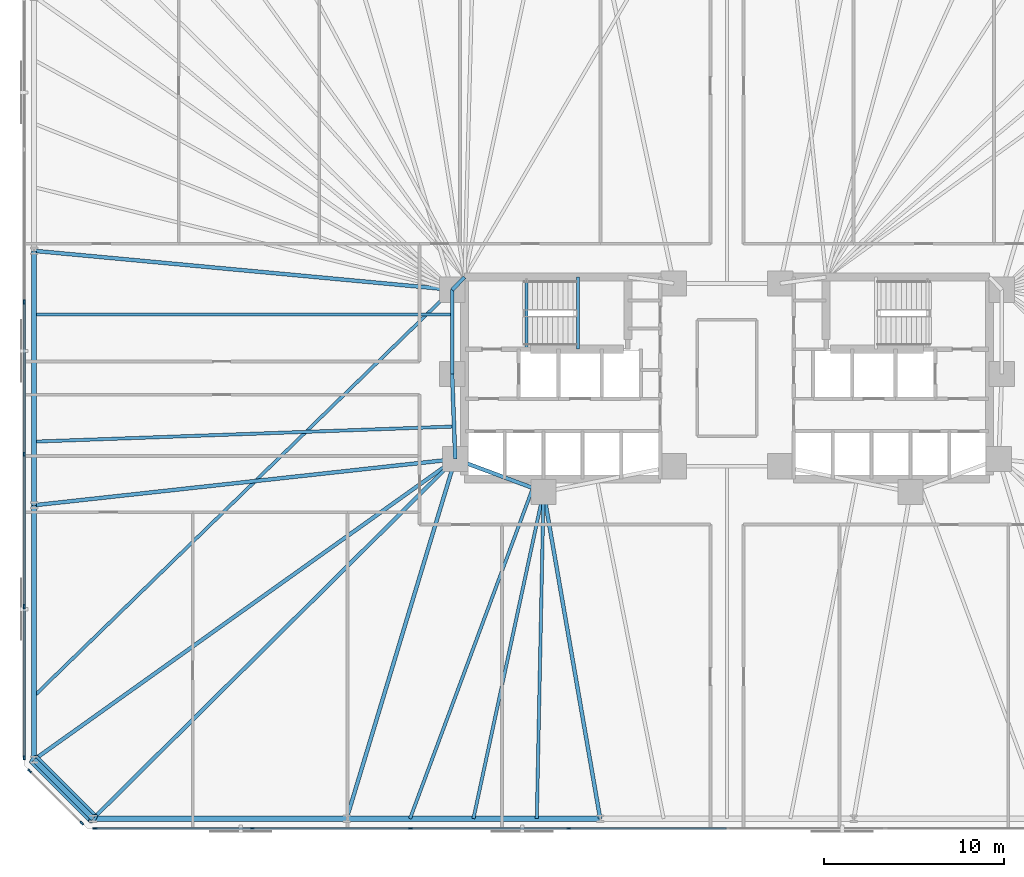
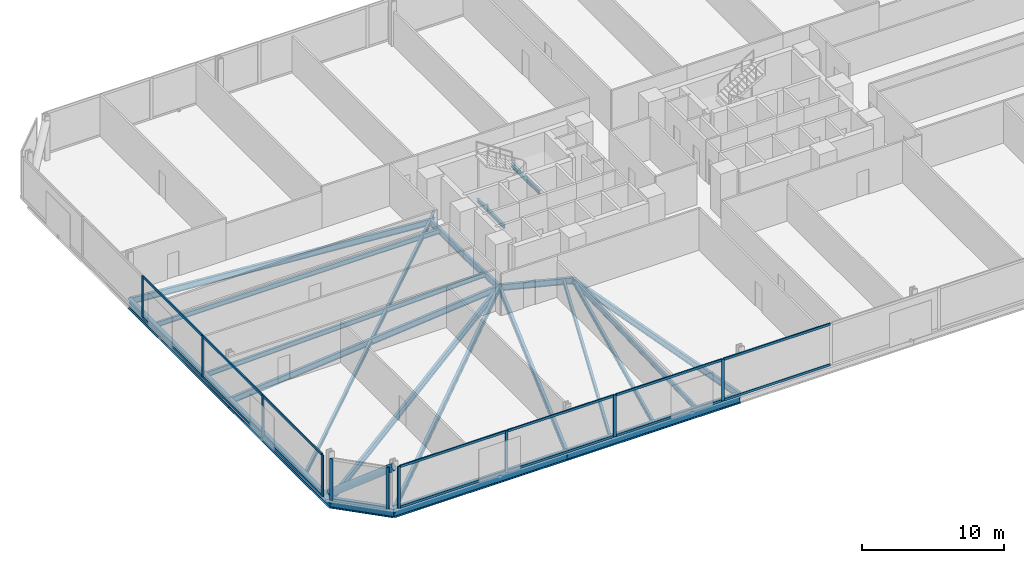
# One storey, part 6 of 17: 25 members, 23 beams, 3 elements without a shape of their own.
"""IFC4 building model written with IfcOpenShell, lengths in metres."""

from ifc_helpers import new_model, si_unit, direction, frame, origin, origin_2d, place, context, subcontext, project, spatial, rectangle, hollow_circle, i_section, extrude, material, material_profile, profile_set, type_object, element, aggregate, save


model = new_model("IFC4")

# Units and contexts
model_context = context("Model", 3, precision=1e-05, world=origin(), true_north=direction((0.0, 1.0)))
body_context = subcontext(model_context, "Body", "Model", "MODEL_VIEW")
ifc_project = project(units=[si_unit("LENGTHUNIT", "METRE"), si_unit("AREAUNIT", "SQUARE_METRE"), si_unit("VOLUMEUNIT", "CUBIC_METRE"), si_unit("PLANEANGLEUNIT", "RADIAN"), si_unit("MASSUNIT", "GRAM", prefix="KILO")], contexts=[model_context])

# Site, building, storey
site_placement = place(None, origin())
site = spatial("IfcSite", under=ifc_project, at=site_placement, CompositionType="ELEMENT")
building_placement = place(site_placement, origin())
building = spatial("IfcBuilding", under=site, at=building_placement, Name="Menara Jurai Vektor", CompositionType="ELEMENT")
storey_placement = place(building_placement, frame((0.0, 0.0, 37.0)))
storey = spatial("IfcBuildingStorey", under=building, at=storey_placement, Name="L08", CompositionType="ELEMENT", Elevation=37.0)

# Curtain wall, members
ifc_material_1 = material(Name="Anodised Pale Aluminium & Low-E Double Glazing", Category="aluminium")
curtain_wall_type = type_object("IfcCurtainWallType", Name="CW-BLK1", PredefinedType="NOTDEFINED", material=ifc_material_1)
curtain_wall_1_placement = place(storey_placement, origin())
curtain_wall_1 = element("IfcCurtainWall", 1, at=curtain_wall_1_placement, inside=storey, type_object=curtain_wall_type, Name="Unitised Curtain Wall L08 F01", PredefinedType="NOTDEFINED")
ifc_material_2 = material(Name="Anodised Pale Aluminium Mullion", Category="aluminium")
ifc_material_profile_1 = material_profile(ifc_material_2, rectangle(XDim=0.094970703125, YDim=0.239990234375, at=origin_2d()), Name="ALU MUL 95x240")
ifc_profile_set_1 = profile_set([ifc_material_profile_1], Name="Anodised Pale Aluminium Mullion")
member_type_1 = type_object("IfcMemberType", Name="CW-BLK1-MUL", PredefinedType="MULLION", material=ifc_profile_set_1)
member_1_placement = place(storey_placement, frame((-35.072509765625, -25.0, 0.0), z_axis=(0.0, 0.0, 1.0), x_axis=(0.0, 1.0, 0.0)))
member_1 = element("IfcMember", 2, at=member_1_placement, type_object=member_type_1, Name="CW-01 mullion 1", PredefinedType="MULLION", context=body_context, shape_type="SweptSolid", body=[
    extrude(rectangle(XDim=0.094970703125, YDim=0.239990234375, at=origin_2d()), origin(), (0.0, 0.0, 1.0), 3.574951171875),
])
member_2_placement = place(storey_placement, frame((-26.340087890625, -25.0, 0.0), z_axis=(0.0, 0.0, 1.0), x_axis=(0.0, 1.0, 0.0)))
member_2 = element("IfcMember", 3, at=member_2_placement, type_object=member_type_1, Name="CW-01 mullion 2", PredefinedType="MULLION", context=body_context, shape_type="SweptSolid", body=[
    extrude(rectangle(XDim=0.094970703125, YDim=0.239990234375, at=origin_2d()), origin(), (0.0, 0.0, 1.0), 3.574951171875),
])
member_3_placement = place(storey_placement, frame((-17.56005859375, -25.0, 0.0), z_axis=(0.0, 0.0, 1.0), x_axis=(0.0, 1.0, 0.0)))
member_3 = element("IfcMember", 4, at=member_3_placement, type_object=member_type_1, Name="CW-01 mullion 3", PredefinedType="MULLION", context=body_context, shape_type="SweptSolid", body=[
    extrude(rectangle(XDim=0.094970703125, YDim=0.239990234375, at=origin_2d()), origin(), (0.0, 0.0, 1.0), 3.574951171875),
])
member_4_placement = place(storey_placement, frame((-8.780029296875, -25.0, 0.0), z_axis=(0.0, 0.0, 1.0), x_axis=(0.0, 1.0, 0.0)))
member_4 = element("IfcMember", 5, at=member_4_placement, type_object=member_type_1, Name="CW-01 mullion 4", PredefinedType="MULLION", context=body_context, shape_type="SweptSolid", body=[
    extrude(rectangle(XDim=0.094970703125, YDim=0.239990234375, at=origin_2d()), origin(), (0.0, 0.0, 1.0), 3.574951171875),
])

curtain_wall_2_placement = place(storey_placement, origin())
curtain_wall_2 = element("IfcCurtainWall", 6, at=curtain_wall_2_placement, inside=storey, type_object=curtain_wall_type, Name="Unitised Curtain Wall L08 F07", PredefinedType="NOTDEFINED")
member_5_placement = place(storey_placement, frame((-39.0, 4.22412109375, 0.0), z_axis=(0.0, 0.0, 1.0), x_axis=(1.0, 0.0, 0.0)))
member_5 = element("IfcMember", 7, at=member_5_placement, type_object=member_type_1, Name="CW-01 mullion 3", PredefinedType="MULLION", context=body_context, shape_type="SweptSolid", body=[
    extrude(rectangle(XDim=0.094970703125, YDim=0.239990234375, at=origin_2d()), origin(), (0.0, 0.0, 1.0), 3.574951171875),
])
member_6_placement = place(storey_placement, frame((-39.0, -4.22412109375, 0.0), z_axis=(0.0, 0.0, 1.0), x_axis=(1.0, 0.0, 0.0)))
member_6 = element("IfcMember", 8, at=member_6_placement, type_object=member_type_1, Name="CW-01 mullion 4", PredefinedType="MULLION", context=body_context, shape_type="SweptSolid", body=[
    extrude(rectangle(XDim=0.094970703125, YDim=0.239990234375, at=origin_2d()), origin(), (0.0, 0.0, 1.0), 3.574951171875),
])
member_7_placement = place(storey_placement, frame((-39.0, -12.672119140625, 0.0), z_axis=(0.0, 0.0, 1.0), x_axis=(1.0, 0.0, 0.0)))
member_7 = element("IfcMember", 9, at=member_7_placement, type_object=member_type_1, Name="CW-01 mullion 5", PredefinedType="MULLION", context=body_context, shape_type="SweptSolid", body=[
    extrude(rectangle(XDim=0.094970703125, YDim=0.239990234375, at=origin_2d()), origin(), (0.0, 0.0, 1.0), 3.574951171875),
])
member_8_placement = place(storey_placement, frame((-39.0, -21.072509765625, 0.0), z_axis=(0.0, 0.0, 1.0), x_axis=(1.0, 0.0, 0.0)))
member_8 = element("IfcMember", 10, at=member_8_placement, type_object=member_type_1, Name="CW-01 mullion 6", PredefinedType="MULLION", context=body_context, shape_type="SweptSolid", body=[
    extrude(rectangle(XDim=0.094970703125, YDim=0.239990234375, at=origin_2d()), origin(), (0.0, 0.0, 1.0), 3.574951171875),
])

curtain_wall_3_placement = place(storey_placement, origin())
curtain_wall_3 = element("IfcCurtainWall", 11, at=curtain_wall_3_placement, inside=storey, type_object=curtain_wall_type, Name="Unitised Curtain Wall L08 F08", PredefinedType="NOTDEFINED")
member_9_placement = place(storey_placement, frame((-38.69775390625, -21.80224609375, 0.0), z_axis=(0.0, 0.0, 1.0), x_axis=(0.707106781187, 0.707106781187, 0.0)))
member_9 = element("IfcMember", 12, at=member_9_placement, type_object=member_type_1, Name="CW-01 mullion 1", PredefinedType="MULLION", context=body_context, shape_type="SweptSolid", body=[
    extrude(rectangle(XDim=0.094970703125, YDim=0.239990234375, at=origin_2d()), origin(), (0.0, 0.0, 1.0), 3.574951171875),
])
member_10_placement = place(storey_placement, frame((-35.80224609375, -24.69775390625, 0.0), z_axis=(0.0, 0.0, 1.0), x_axis=(0.707106781187, 0.707106781187, 0.0)))
member_10 = element("IfcMember", 13, at=member_10_placement, type_object=member_type_1, Name="CW-01 mullion 2", PredefinedType="MULLION", context=body_context, shape_type="SweptSolid", body=[
    extrude(rectangle(XDim=0.094970703125, YDim=0.239990234375, at=origin_2d()), origin(), (0.0, 0.0, 1.0), 3.574951171875),
])
aggregate(curtain_wall_3, [member_9, member_10])

# Member
ifc_material_3 = material(Name="Anodised Pale Aluminium Transom", Category="aluminium")
ifc_material_profile_2 = material_profile(ifc_material_3, rectangle(XDim=0.094970703125, YDim=0.199951171875, at=origin_2d()), Name="ALU TRN 95x200")
ifc_profile_set_2 = profile_set([ifc_material_profile_2], Name="Anodised Pale Aluminium Transom")
member_type_2 = type_object("IfcMemberType", Name="CW-BLK1-TRN", PredefinedType="USERDEFINED", material=ifc_profile_set_2)
member_11_placement = place(storey_placement, frame((-35.02490234375, -25.0, 0.047607421875), z_axis=(1.0, 0.0, 0.0), x_axis=(0.0, 1.0, 0.0)))
member_11 = element("IfcMember", 14, at=member_11_placement, type_object=member_type_2, Name="CW-01 transom 1.1", ObjectType="TRANSOM", PredefinedType="USERDEFINED", context=body_context, shape_type="SweptSolid", body=[
    extrude(rectangle(XDim=0.094970703125, YDim=0.199951171875, at=origin_2d()), origin(), (0.0, 0.0, 1.0), 8.637451171875),
])

member_12_placement = place(storey_placement, frame((-35.02490234375, -25.0, 3.527587890625), z_axis=(1.0, 0.0, 0.0), x_axis=(0.0, 1.0, 0.0)))
member_12 = element("IfcMember", 15, at=member_12_placement, type_object=member_type_2, Name="CW-01 transom 1.2", ObjectType="TRANSOM", PredefinedType="USERDEFINED", context=body_context, shape_type="SweptSolid", body=[
    extrude(rectangle(XDim=0.094970703125, YDim=0.199951171875, at=origin_2d()), origin(), (0.0, 0.0, 1.0), 8.637451171875),
])

member_13_placement = place(storey_placement, frame((-26.29248046875, -25.0, 0.047607421875), z_axis=(1.0, 0.0, 0.0), x_axis=(0.0, 1.0, 0.0)))
member_13 = element("IfcMember", 16, at=member_13_placement, type_object=member_type_2, Name="CW-01 transom 2.1", ObjectType="TRANSOM", PredefinedType="USERDEFINED", context=body_context, shape_type="SweptSolid", body=[
    extrude(rectangle(XDim=0.094970703125, YDim=0.199951171875, at=origin_2d()), origin(), (0.0, 0.0, 1.0), 8.68505859375),
])

member_14_placement = place(storey_placement, frame((-26.29248046875, -25.0, 3.527587890625), z_axis=(1.0, 0.0, 0.0), x_axis=(0.0, 1.0, 0.0)))
member_14 = element("IfcMember", 17, at=member_14_placement, type_object=member_type_2, Name="CW-01 transom 2.2", ObjectType="TRANSOM", PredefinedType="USERDEFINED", context=body_context, shape_type="SweptSolid", body=[
    extrude(rectangle(XDim=0.094970703125, YDim=0.199951171875, at=origin_2d()), origin(), (0.0, 0.0, 1.0), 8.68505859375),
])

member_15_placement = place(storey_placement, frame((-17.512451171875, -25.0, 0.047607421875), z_axis=(1.0, 0.0, 0.0), x_axis=(0.0, 1.0, 0.0)))
member_15 = element("IfcMember", 18, at=member_15_placement, type_object=member_type_2, Name="CW-01 transom 3.1", ObjectType="TRANSOM", PredefinedType="USERDEFINED", context=body_context, shape_type="SweptSolid", body=[
    extrude(rectangle(XDim=0.094970703125, YDim=0.199951171875, at=origin_2d()), origin(), (0.0, 0.0, 1.0), 8.68505859375),
])

member_16_placement = place(storey_placement, frame((-17.512451171875, -25.0, 3.527587890625), z_axis=(1.0, 0.0, 0.0), x_axis=(0.0, 1.0, 0.0)))
member_16 = element("IfcMember", 19, at=member_16_placement, type_object=member_type_2, Name="CW-01 transom 3.2", ObjectType="TRANSOM", PredefinedType="USERDEFINED", context=body_context, shape_type="SweptSolid", body=[
    extrude(rectangle(XDim=0.094970703125, YDim=0.199951171875, at=origin_2d()), origin(), (0.0, 0.0, 1.0), 8.68505859375),
])

member_17_placement = place(storey_placement, frame((-8.732421875, -25.0, 0.047607421875), z_axis=(1.0, 0.0, 0.0), x_axis=(0.0, 1.0, 0.0)))
member_17 = element("IfcMember", 20, at=member_17_placement, type_object=member_type_2, Name="CW-01 transom 4.1", ObjectType="TRANSOM", PredefinedType="USERDEFINED", context=body_context, shape_type="SweptSolid", body=[
    extrude(rectangle(XDim=0.094970703125, YDim=0.199951171875, at=origin_2d()), origin(), (0.0, 0.0, 1.0), 8.684814453125),
])

member_18_placement = place(storey_placement, frame((-8.732421875, -25.0, 3.527587890625), z_axis=(1.0, 0.0, 0.0), x_axis=(0.0, 1.0, 0.0)))
member_18 = element("IfcMember", 21, at=member_18_placement, type_object=member_type_2, Name="CW-01 transom 4.2", ObjectType="TRANSOM", PredefinedType="USERDEFINED", context=body_context, shape_type="SweptSolid", body=[
    extrude(rectangle(XDim=0.094970703125, YDim=0.199951171875, at=origin_2d()), origin(), (0.0, 0.0, 1.0), 8.684814453125),
])

aggregate(curtain_wall_1, [member_1, member_2, member_3, member_4, member_11, member_12, member_13, member_14, member_15, member_16, member_17, member_18])

member_19_placement = place(storey_placement, frame((-39.0, 4.176513671875, 0.047607421875), z_axis=(0.0, -1.0, 0.0), x_axis=(1.0, 0.0, 0.0)))
member_19 = element("IfcMember", 22, at=member_19_placement, type_object=member_type_2, Name="CW-01 transom 3.1", ObjectType="TRANSOM", PredefinedType="USERDEFINED", context=body_context, shape_type="SweptSolid", body=[
    extrude(rectangle(XDim=0.094970703125, YDim=0.199951171875, at=origin_2d()), origin(), (0.0, 0.0, 1.0), 8.35302734375),
])

member_20_placement = place(storey_placement, frame((-39.0, 4.176513671875, 3.527587890625), z_axis=(0.0, -1.0, 0.0), x_axis=(1.0, 0.0, 0.0)))
member_20 = element("IfcMember", 23, at=member_20_placement, type_object=member_type_2, Name="CW-01 transom 3.2", ObjectType="TRANSOM", PredefinedType="USERDEFINED", context=body_context, shape_type="SweptSolid", body=[
    extrude(rectangle(XDim=0.094970703125, YDim=0.199951171875, at=origin_2d()), origin(), (0.0, 0.0, 1.0), 8.35302734375),
])

member_21_placement = place(storey_placement, frame((-39.0, -4.271484375, 0.047607421875), z_axis=(0.0, -1.0, 0.0), x_axis=(1.0, 0.0, 0.0)))
member_21 = element("IfcMember", 24, at=member_21_placement, type_object=member_type_2, Name="CW-01 transom 4.1", ObjectType="TRANSOM", PredefinedType="USERDEFINED", context=body_context, shape_type="SweptSolid", body=[
    extrude(rectangle(XDim=0.094970703125, YDim=0.199951171875, at=origin_2d()), origin(), (0.0, 0.0, 1.0), 8.35302734375),
])

member_22_placement = place(storey_placement, frame((-39.0, -4.271484375, 3.527587890625), z_axis=(0.0, -1.0, 0.0), x_axis=(1.0, 0.0, 0.0)))
member_22 = element("IfcMember", 25, at=member_22_placement, type_object=member_type_2, Name="CW-01 transom 4.2", ObjectType="TRANSOM", PredefinedType="USERDEFINED", context=body_context, shape_type="SweptSolid", body=[
    extrude(rectangle(XDim=0.094970703125, YDim=0.199951171875, at=origin_2d()), origin(), (0.0, 0.0, 1.0), 8.35302734375),
])

member_23_placement = place(storey_placement, frame((-39.0, -12.719482421875, 0.047607421875), z_axis=(0.0, -1.0, 0.0), x_axis=(1.0, 0.0, 0.0)))
member_23 = element("IfcMember", 26, at=member_23_placement, type_object=member_type_2, Name="CW-01 transom 5.1", ObjectType="TRANSOM", PredefinedType="USERDEFINED", context=body_context, shape_type="SweptSolid", body=[
    extrude(rectangle(XDim=0.094970703125, YDim=0.199951171875, at=origin_2d()), origin(), (0.0, 0.0, 1.0), 8.305419921875),
])

member_24_placement = place(storey_placement, frame((-39.0, -12.719482421875, 3.527587890625), z_axis=(0.0, -1.0, 0.0), x_axis=(1.0, 0.0, 0.0)))
member_24 = element("IfcMember", 27, at=member_24_placement, type_object=member_type_2, Name="CW-01 transom 5.2", ObjectType="TRANSOM", PredefinedType="USERDEFINED", context=body_context, shape_type="SweptSolid", body=[
    extrude(rectangle(XDim=0.094970703125, YDim=0.199951171875, at=origin_2d()), origin(), (0.0, 0.0, 1.0), 8.305419921875),
])

aggregate(curtain_wall_2, [member_5, member_6, member_7, member_8, member_19, member_20, member_21, member_22, member_23, member_24])

# Beams
ifc_material_4 = material(Name="Steel S355", Category="steel")
ifc_material_profile_3 = material_profile(ifc_material_4, i_section(OverallWidth=0.2109375, OverallDepth=0.5390625, WebThickness=0.011962890625, FlangeThickness=0.01904296875, FilletRadius=0.012939453125, at=origin_2d()), Name="UKB 533x210x109")
ifc_profile_set_3 = profile_set([ifc_material_profile_3], Name="Steel S355")
beam_type_1 = type_object("IfcBeamType", Name="STR-BM-533", PredefinedType="BEAM", material=ifc_profile_set_3)
beam_1_placement = place(storey_placement, frame((-15.25, 4.89990234375, -0.494384765625), z_axis=(0.701871936926, 0.712303154672, 0.0), x_axis=(-0.712303154672, 0.701871936926, 0.0)))
element("IfcBeam", 28, at=beam_1_placement, inside=storey, type_object=beam_type_1, Name="Core Ring Header Girder L08-CHW-N1", PredefinedType="BEAM", context=body_context, shape_type="SweptSolid", body=[
    extrude(i_section(OverallWidth=0.2109375, OverallDepth=0.5390625, WebThickness=0.011962890625, FlangeThickness=0.01904296875, FilletRadius=0.012939453125, at=origin_2d()), origin(), (0.0, 0.0, 1.0), 0.98291015625),
])
beam_2_placement = place(storey_placement, frame((-15.25, 0.219970703125, -0.494384765625), z_axis=(0.0, 1.0, 0.0), x_axis=(-1.0, 0.0, 0.0)))
element("IfcBeam", 29, at=beam_2_placement, inside=storey, type_object=beam_type_1, Name="Core Ring Header Girder L08-CHW-W1", PredefinedType="BEAM", context=body_context, shape_type="SweptSolid", body=[
    extrude(i_section(OverallWidth=0.2109375, OverallDepth=0.5390625, WebThickness=0.011962890625, FlangeThickness=0.01904296875, FilletRadius=0.012939453125, at=origin_2d()), origin(), (0.0, 0.0, 1.0), 4.679931640625),
])
beam_3_placement = place(storey_placement, frame((-15.080078125, -4.5, -0.494384765625), z_axis=(-0.035977314146, 0.999352606874, 0.0), x_axis=(-0.999352606874, -0.035977314146, 0.0)))
element("IfcBeam", 30, at=beam_3_placement, inside=storey, type_object=beam_type_1, Name="Core Ring Header Girder L08-CHW-W2", PredefinedType="BEAM", context=body_context, shape_type="SweptSolid", body=[
    extrude(i_section(OverallWidth=0.2109375, OverallDepth=0.5390625, WebThickness=0.011962890625, FlangeThickness=0.01904296875, FilletRadius=0.012939453125, at=origin_2d()), origin(), (0.0, 0.0, 1.0), 4.72314453125),
])
beam_4_placement = place(storey_placement, frame((-15.080078125, -4.5, -0.494384765625), z_axis=(0.937424400887, -0.348188874925, 0.0), x_axis=(0.348188874925, 0.937424400887, 0.0)))
element("IfcBeam", 31, at=beam_4_placement, inside=storey, type_object=beam_type_1, Name="Core Ring Header Girder L08-CHW-S1", PredefinedType="BEAM", context=body_context, shape_type="SweptSolid", body=[
    extrude(i_section(OverallWidth=0.2109375, OverallDepth=0.5390625, WebThickness=0.011962890625, FlangeThickness=0.01904296875, FilletRadius=0.012939453125, at=origin_2d()), origin(), (0.0, 0.0, 1.0), 5.227294921875),
])
beam_5_placement = place(storey_placement, frame((-35.177734375, -24.449951171875, -0.494384765625), z_axis=(0.709709931659, 0.704494011972, 0.0), x_axis=(-0.704494011972, 0.709709931659, 0.0)))
element("IfcBeam", 32, at=beam_5_placement, inside=storey, type_object=beam_type_1, Name="Radial Floor Girder L08-S1", PredefinedType="BEAM", context=body_context, shape_type="SweptSolid", body=[
    extrude(i_section(OverallWidth=0.2109375, OverallDepth=0.5390625, WebThickness=0.011962890625, FlangeThickness=0.01904296875, FilletRadius=0.012939453125, at=origin_2d()), origin(), (0.0, 0.0, 1.0), 28.318115234375),
])
beam_6_placement = place(storey_placement, frame((-21.106689453125, -24.449951171875, -0.494384765625), z_axis=(0.289179812203, 0.957274796604, 0.0), x_axis=(-0.957274796604, 0.289179812203, 0.0)))
element("IfcBeam", 33, at=beam_6_placement, inside=storey, type_object=beam_type_1, Name="Radial Floor Girder L08-S2", PredefinedType="BEAM", context=body_context, shape_type="SweptSolid", body=[
    extrude(i_section(OverallWidth=0.2109375, OverallDepth=0.5390625, WebThickness=0.011962890625, FlangeThickness=0.01904296875, FilletRadius=0.012939453125, at=origin_2d()), origin(), (0.0, 0.0, 1.0), 20.84033203125),
])
beam_7_placement = place(storey_placement, frame((-7.03564453125, -24.449951171875, -0.494384765625), z_axis=(-0.170880325642, 0.985291791455, 0.0), x_axis=(-0.985291791455, -0.170880325642, 0.0)))
element("IfcBeam", 34, at=beam_7_placement, inside=storey, type_object=beam_type_1, Name="Radial Floor Girder L08-S3", PredefinedType="BEAM", context=body_context, shape_type="SweptSolid", body=[
    extrude(i_section(OverallWidth=0.2109375, OverallDepth=0.5390625, WebThickness=0.011962890625, FlangeThickness=0.01904296875, FilletRadius=0.012939453125, at=origin_2d()), origin(), (0.0, 0.0, 1.0), 18.400634765625),
])
beam_8_placement = place(storey_placement, frame((-38.449951171875, 7.059326171875, -0.494384765625), z_axis=(0.995696113112, -0.092678208514, 0.0), x_axis=(0.092678208514, 0.995696113112, 0.0)))
element("IfcBeam", 35, at=beam_8_placement, inside=storey, type_object=beam_type_1, Name="Radial Floor Girder L08-W2", PredefinedType="BEAM", context=body_context, shape_type="SweptSolid", body=[
    extrude(i_section(OverallWidth=0.2109375, OverallDepth=0.5390625, WebThickness=0.011962890625, FlangeThickness=0.01904296875, FilletRadius=0.012939453125, at=origin_2d()), origin(), (0.0, 0.0, 1.0), 23.30029296875),
])
beam_9_placement = place(storey_placement, frame((-38.449951171875, -7.059326171875, -0.494384765625), z_axis=(0.994056757953, 0.108863042253, 0.0), x_axis=(-0.108863042253, 0.994056757953, 0.0)))
element("IfcBeam", 36, at=beam_9_placement, inside=storey, type_object=beam_type_1, Name="Radial Floor Girder L08-W3", PredefinedType="BEAM", context=body_context, shape_type="SweptSolid", body=[
    extrude(i_section(OverallWidth=0.2109375, OverallDepth=0.5390625, WebThickness=0.011962890625, FlangeThickness=0.01904296875, FilletRadius=0.012939453125, at=origin_2d()), origin(), (0.0, 0.0, 1.0), 23.509521484375),
])
beam_10_placement = place(storey_placement, frame((-38.449951171875, -21.177734375, -0.494384765625), z_axis=(0.813981033216, 0.580891450759, 0.0), x_axis=(-0.580891450759, 0.813981033216, 0.0)))
element("IfcBeam", 37, at=beam_10_placement, inside=storey, type_object=beam_type_1, Name="Radial Floor Girder L08-W4", PredefinedType="BEAM", context=body_context, shape_type="SweptSolid", body=[
    extrude(i_section(OverallWidth=0.2109375, OverallDepth=0.5390625, WebThickness=0.011962890625, FlangeThickness=0.01904296875, FilletRadius=0.012939453125, at=origin_2d()), origin(), (0.0, 0.0, 1.0), 28.710693359375),
])

# Member
ifc_material_5 = material(Name="Steel S460", Category="steel")
ifc_material_profile_4 = material_profile(ifc_material_5, hollow_circle(Radius=0.304931640625, WallThickness=0.02490234375, at=origin_2d()), Name="CHS 610x25")
ifc_profile_set_4 = profile_set([ifc_material_profile_4], Name="Steel S460")
member_type_3 = type_object("IfcMemberType", Name="STR-BR-610", PredefinedType="BRACE", material=ifc_profile_set_4)
member_25_placement = place(storey_placement, frame((-38.449951171875, -21.177734375, 0.14990234375), z_axis=(0.588928100616, -0.588928100616, 0.55346850372), x_axis=(0.707106781187, 0.707106781187, 0.0)))
element("IfcMember", 38, at=member_25_placement, inside=storey, type_object=member_type_3, Name="Exoskeleton Corner Brace L08-4", PredefinedType="BRACE", context=body_context, shape_type="SweptSolid", body=[
    extrude(hollow_circle(Radius=0.304931640625, WallThickness=0.02490234375, at=origin_2d()), origin(), (0.0, 0.0, 1.0), 5.55615234375),
])

# Beams
ifc_material_profile_5 = material_profile(ifc_material_4, i_section(OverallWidth=0.178955078125, OverallDepth=0.408935546875, WebThickness=0.009033203125, FlangeThickness=0.013916015625, FilletRadius=0.010009765625, at=origin_2d()), Name="UKB 406x178x67")
ifc_profile_set_5 = profile_set([ifc_material_profile_5], Name="Steel S355")
beam_type_2 = type_object("IfcBeamType", Name="STR-JS-406", PredefinedType="JOIST", material=ifc_profile_set_5)
beam_11_placement = place(storey_placement, frame((-17.5888671875, -24.449951171875, -0.429443359375), z_axis=(0.348179014223, 0.937428063403, 0.0), x_axis=(-0.937428063403, 0.348179014223, 0.0)))
element("IfcBeam", 39, at=beam_11_placement, inside=storey, type_object=beam_type_2, Name="Radial Secondary Floor Joist L08-JS01", PredefinedType="JOIST", context=body_context, shape_type="SweptSolid", body=[
    extrude(i_section(OverallWidth=0.178955078125, OverallDepth=0.408935546875, WebThickness=0.009033203125, FlangeThickness=0.013916015625, FilletRadius=0.010009765625, at=origin_2d()), origin(), (0.0, 0.0, 1.0), 19.5751953125),
])
beam_12_placement = place(storey_placement, frame((-14.071044921875, -24.449951171875, -0.429443359375), z_axis=(0.209845584412, 0.977734539997, 0.0), x_axis=(-0.977734539997, 0.209845584412, 0.0)))
element("IfcBeam", 40, at=beam_12_placement, inside=storey, type_object=beam_type_2, Name="Radial Secondary Floor Joist L08-JS02", PredefinedType="JOIST", context=body_context, shape_type="SweptSolid", body=[
    extrude(i_section(OverallWidth=0.178955078125, OverallDepth=0.408935546875, WebThickness=0.009033203125, FlangeThickness=0.013916015625, FilletRadius=0.010009765625, at=origin_2d()), origin(), (0.0, 0.0, 1.0), 18.542724609375),
])
beam_13_placement = place(storey_placement, frame((-10.55322265625, -24.449951171875, -0.429443359375), z_axis=(0.020585456509, 0.999788097039, 0.0), x_axis=(-0.999788097039, 0.020585456509, 0.0)))
element("IfcBeam", 41, at=beam_13_placement, inside=storey, type_object=beam_type_2, Name="Radial Secondary Floor Joist L08-JS03", PredefinedType="JOIST", context=body_context, shape_type="SweptSolid", body=[
    extrude(i_section(OverallWidth=0.178955078125, OverallDepth=0.408935546875, WebThickness=0.009033203125, FlangeThickness=0.013916015625, FilletRadius=0.010009765625, at=origin_2d()), origin(), (0.0, 0.0, 1.0), 18.1337890625),
])
beam_14_placement = place(storey_placement, frame((-38.449951171875, 3.529541015625, -0.429443359375), z_axis=(1.0, 0.0, 0.0), x_axis=(0.0, 1.0, 0.0)))
element("IfcBeam", 42, at=beam_14_placement, inside=storey, type_object=beam_type_2, Name="Radial Secondary Floor Joist L08-JS35", PredefinedType="JOIST", context=body_context, shape_type="SweptSolid", body=[
    extrude(i_section(OverallWidth=0.178955078125, OverallDepth=0.408935546875, WebThickness=0.009033203125, FlangeThickness=0.013916015625, FilletRadius=0.010009765625, at=origin_2d()), origin(), (0.0, 0.0, 1.0), 23.199951171875),
])
beam_15_placement = place(storey_placement, frame((-38.449951171875, -3.529541015625, -0.429443359375), z_axis=(0.999352032814, 0.035993256462, 0.0), x_axis=(-0.035993256462, 0.999352032814, 0.0)))
element("IfcBeam", 43, at=beam_15_placement, inside=storey, type_object=beam_type_2, Name="Radial Secondary Floor Joist L08-JS36", PredefinedType="JOIST", context=body_context, shape_type="SweptSolid", body=[
    extrude(i_section(OverallWidth=0.178955078125, OverallDepth=0.408935546875, WebThickness=0.009033203125, FlangeThickness=0.013916015625, FilletRadius=0.010009765625, at=origin_2d()), origin(), (0.0, 0.0, 1.0), 23.31982421875),
])
beam_16_placement = place(storey_placement, frame((-38.449951171875, -17.648193359375, -0.429443359375), z_axis=(0.71710942187, 0.696960599363, 0.0), x_axis=(-0.696960599363, 0.71710942187, 0.0)))
element("IfcBeam", 44, at=beam_16_placement, inside=storey, type_object=beam_type_2, Name="Radial Secondary Floor Joist L08-JS37", PredefinedType="JOIST", context=body_context, shape_type="SweptSolid", body=[
    extrude(i_section(OverallWidth=0.178955078125, OverallDepth=0.408935546875, WebThickness=0.009033203125, FlangeThickness=0.013916015625, FilletRadius=0.010009765625, at=origin_2d()), origin(), (0.0, 0.0, 1.0), 32.35205078125),
])
ifc_material_profile_6 = material_profile(ifc_material_4, i_section(OverallWidth=0.1650390625, OverallDepth=0.302978515625, WebThickness=0.006103515625, FlangeThickness=0.010009765625, FilletRadius=0.009033203125, at=origin_2d()), Name="UKB 305x165x40")
ifc_profile_set_6 = profile_set([ifc_material_profile_6], Name="Steel S355")
beam_type_3 = type_object("IfcBeamType", Name="STR-LN-305", PredefinedType="LINTEL", material=ifc_profile_set_6)
beam_17_placement = place(storey_placement, frame((-11.1201171875, 1.60009765625, -0.37646484375), z_axis=(0.0, 1.0, 0.0), x_axis=(-1.0, 0.0, 0.0)))
element("IfcBeam", 45, at=beam_17_placement, inside=storey, type_object=beam_type_3, Name="Stair Well Floor Trimmer ST1 L08", PredefinedType="LINTEL", context=body_context, shape_type="SweptSolid", body=[
    extrude(i_section(OverallWidth=0.1650390625, OverallDepth=0.302978515625, WebThickness=0.006103515625, FlangeThickness=0.010009765625, FilletRadius=0.009033203125, at=origin_2d()), origin(), (0.0, 0.0, 1.0), 3.81982421875),
])
beam_18_placement = place(storey_placement, frame((-8.27001953125, 1.60009765625, 1.548583984375), z_axis=(0.0, 1.0, 0.0), x_axis=(-1.0, 0.0, 0.0)))
element("IfcBeam", 46, at=beam_18_placement, inside=storey, type_object=beam_type_3, Name="Stair Half-Landing Nosing Trimmer ST1-1 L08", PredefinedType="LINTEL", context=body_context, shape_type="SweptSolid", body=[
    extrude(i_section(OverallWidth=0.1650390625, OverallDepth=0.302978515625, WebThickness=0.006103515625, FlangeThickness=0.010009765625, FilletRadius=0.009033203125, at=origin_2d()), origin(), (0.0, 0.0, 1.0), 4.0),
])
ifc_material_profile_7 = material_profile(ifc_material_5, i_section(OverallWidth=0.2939453125, OverallDepth=0.85107421875, WebThickness=0.01611328125, FlangeThickness=0.027099609375, FilletRadius=0.01806640625, at=origin_2d()), Name="UKB 838x292x226")
ifc_profile_set_7 = profile_set([ifc_material_profile_7], Name="Steel S460")
beam_type_4 = type_object("IfcBeamType", Name="STR-SP-838", PredefinedType="SPANDREL", material=ifc_profile_set_7)
for number, where, z_axis, x_axis, name in (
    (47, (-35.177734375, -24.449951171875, -0.650390625), (1.0, 0.0, 0.0), (0.0, 1.0, 0.0), "Exoskeleton Spandrel Beam L08-01"),
    (48, (-21.106689453125, -24.449951171875, -0.650390625), (1.0, 0.0, 0.0), (0.0, 1.0, 0.0), "Exoskeleton Spandrel Beam L08-02"),
):
    element("IfcBeam", number, at=place(storey_placement, frame(where, z_axis=z_axis, x_axis=x_axis)), inside=storey, type_object=beam_type_4, Name=name, PredefinedType="SPANDREL", context=body_context, shape_type="SweptSolid", body=[
        extrude(i_section(OverallWidth=0.2939453125, OverallDepth=0.85107421875, WebThickness=0.01611328125, FlangeThickness=0.027099609375, FilletRadius=0.01806640625, at=origin_2d()), origin(), (0.0, 0.0, 1.0), 14.071044921875),
    ])
beam_19_placement = place(storey_placement, frame((-38.449951171875, 7.059326171875, -0.650390625), z_axis=(0.0, -1.0, 0.0), x_axis=(1.0, 0.0, 0.0)))
element("IfcBeam", 49, at=beam_19_placement, inside=storey, type_object=beam_type_4, Name="Exoskeleton Spandrel Beam L08-18", PredefinedType="SPANDREL", context=body_context, shape_type="SweptSolid", body=[
    extrude(i_section(OverallWidth=0.2939453125, OverallDepth=0.85107421875, WebThickness=0.01611328125, FlangeThickness=0.027099609375, FilletRadius=0.01806640625, at=origin_2d()), origin(), (0.0, 0.0, 1.0), 14.11865234375),
])
beam_20_placement = place(storey_placement, frame((-38.449951171875, -7.059326171875, -0.650390625), z_axis=(0.0, -1.0, 0.0), x_axis=(1.0, 0.0, 0.0)))
element("IfcBeam", 50, at=beam_20_placement, inside=storey, type_object=beam_type_4, Name="Exoskeleton Spandrel Beam L08-19", PredefinedType="SPANDREL", context=body_context, shape_type="SweptSolid", body=[
    extrude(i_section(OverallWidth=0.2939453125, OverallDepth=0.85107421875, WebThickness=0.01611328125, FlangeThickness=0.027099609375, FilletRadius=0.01806640625, at=origin_2d()), origin(), (0.0, 0.0, 1.0), 14.118408203125),
])
beam_21_placement = place(storey_placement, frame((-38.449951171875, -21.177734375, -0.650390625), z_axis=(0.707106781187, -0.707106781187, 0.0), x_axis=(0.707106781187, 0.707106781187, 0.0)))
element("IfcBeam", 51, at=beam_21_placement, inside=storey, type_object=beam_type_4, Name="Exoskeleton Spandrel Beam L08-20", PredefinedType="SPANDREL", context=body_context, shape_type="SweptSolid", body=[
    extrude(i_section(OverallWidth=0.2939453125, OverallDepth=0.85107421875, WebThickness=0.01611328125, FlangeThickness=0.027099609375, FilletRadius=0.01806640625, at=origin_2d()), origin(), (0.0, 0.0, 1.0), 4.627685546875),
])

save(model, "model.ifc")
